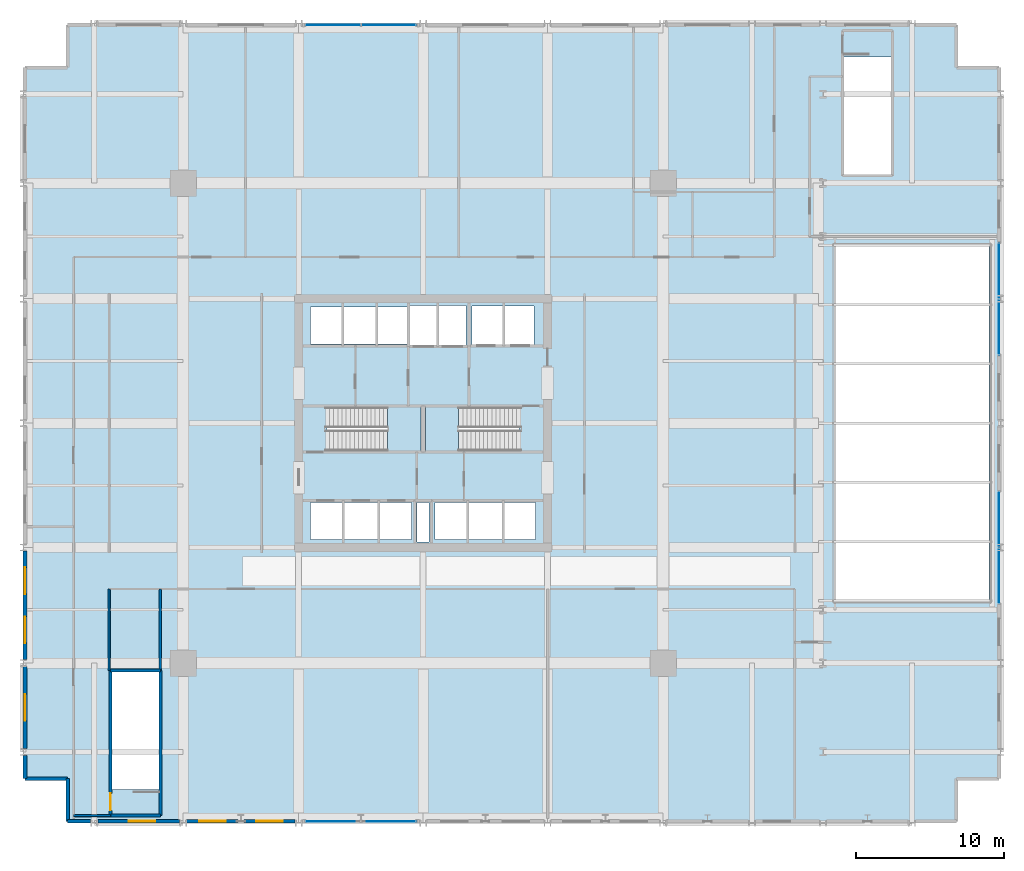
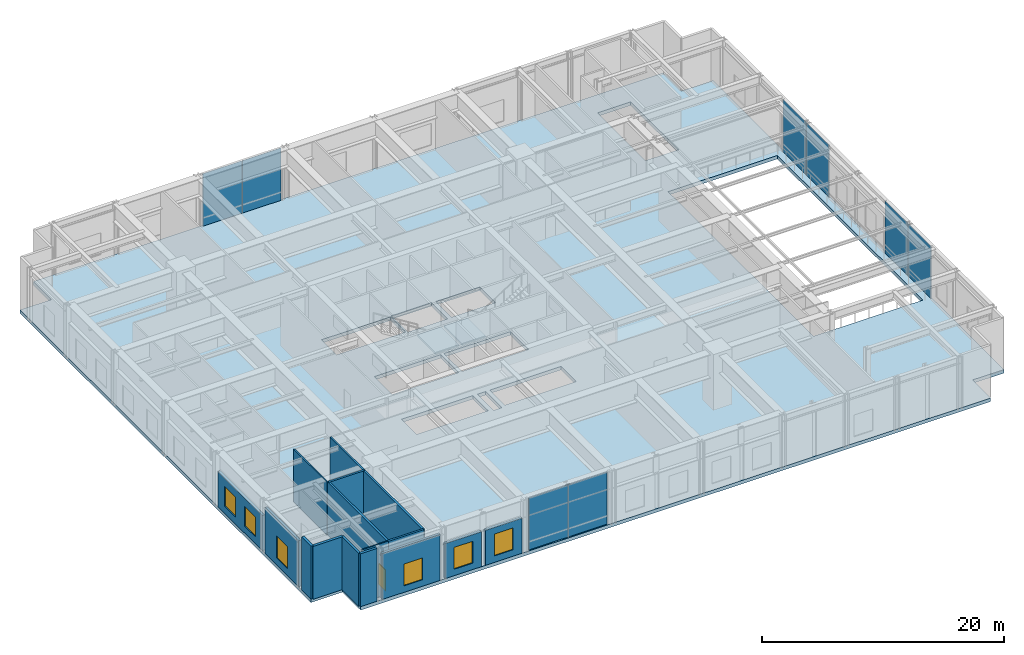
# One storey, part 10 of 19: 16 walls, 8 plates, 6 windows, 3 slabs, 1 door, 7 openings, 6 elements without a shape of their own.
"""IFC4 building model written with IfcOpenShell, lengths in metres."""

from ifc_helpers import new_model, si_unit, direction, frame, frame_2d, origin, origin_2d, place, context, subcontext, project, spatial, polyline, rectangle, outline, extrude, material, layer, layer_set, type_object, element, fill, aggregate, save


model = new_model("IFC4")

# Units and contexts
model_context = context("Model", 3, precision=1e-05, world=origin(), true_north=direction((0.0, 1.0)))
body_context = subcontext(model_context, "Body", "Model", "MODEL_VIEW")
ifc_project = project(units=[si_unit("LENGTHUNIT", "METRE"), si_unit("AREAUNIT", "SQUARE_METRE"), si_unit("VOLUMEUNIT", "CUBIC_METRE"), si_unit("PLANEANGLEUNIT", "RADIAN"), si_unit("MASSUNIT", "GRAM", prefix="KILO")], contexts=[model_context])

# Site, building, storey
site_placement = place(None, origin())
site = spatial("IfcSite", under=ifc_project, at=site_placement, CompositionType="ELEMENT")
building_placement = place(site_placement, origin())
building = spatial("IfcBuilding", under=site, at=building_placement, Name="Drelvath Grand Hotel", CompositionType="ELEMENT")
storey_placement = place(building_placement, frame((0.0, 0.0, 27.60009765625)))
storey = spatial("IfcBuildingStorey", under=building, at=storey_placement, Name="L05", CompositionType="ELEMENT", Elevation=27.60009765625)

# Slab
ifc_material_1 = material(Name="Concrete f'c 40 MPa", Category="concrete")
ifc_layer_1 = layer(ifc_material_1, 0.35009765625)
ifc_layer_set_1 = layer_set([ifc_layer_1], Name="Concrete f'c 40 MPa")
slab_type_1 = type_object("IfcSlabType", Name="Composite RC Floor Slab 350", PredefinedType="FLOOR", material=ifc_layer_set_1)
slab_1_placement = place(storey_placement, frame((0.0, 0.0, -0.35009765625)))
element("IfcSlab", 1, at=slab_1_placement, inside=storey, type_object=slab_type_1, Name="L05 Structural Floor Slab", PredefinedType="FLOOR", context=body_context, shape_type="SweptSolid", body=[
    extrude(outline(polyline([(-24.0, 0.0), (36.0, 0.0), (36.0, 3.0), (39.0, 3.0), (39.0, 51.0), (36.0, 51.0), (36.0, 54.0), (-24.0, 54.0), (-24.0, 51.0), (-27.0, 51.0), (-27.0, 3.0), (-24.0, 3.0), (-24.0, 0.0)]), holes=[polyline([(-6.47998046875, 25.1201171875), (-6.47998046875, 28.080078125), (-0.14990234375, 28.080078125), (-0.14990234375, 25.1201171875), (-6.47998046875, 25.1201171875)]), polyline([(0.14990234375, 25.1201171875), (0.14990234375, 28.080078125), (6.47998046875, 28.080078125), (6.47998046875, 25.1201171875), (0.14990234375, 25.1201171875)]), polyline([(-21.0, 2.27001953125), (-21.0, 10.199951171875), (-17.840087890625, 10.199951171875), (-17.840087890625, 2.27001953125), (-21.0, 2.27001953125)]), polyline([(28.419921875, 43.800048828125), (28.419921875, 51.72998046875), (31.580078125, 51.72998046875), (31.580078125, 43.800048828125), (28.419921875, 43.800048828125)]), polyline([(-7.60009765625, 19.14990234375), (-7.60009765625, 21.64990234375), (-0.800048828125, 21.64990234375), (-0.800048828125, 19.14990234375), (-7.60009765625, 19.14990234375)]), polyline([(-0.39990234375, 18.9599609375), (-0.39990234375, 21.639892578125), (0.39990234375, 21.639892578125), (0.39990234375, 18.9599609375), (-0.39990234375, 18.9599609375)]), polyline([(0.800048828125, 19.14990234375), (0.800048828125, 21.64990234375), (7.60009765625, 21.64990234375), (7.60009765625, 19.14990234375), (0.800048828125, 19.14990234375)]), polyline([(-7.60009765625, 32.35009765625), (-7.60009765625, 34.85009765625), (-1.02001953125, 34.85009765625), (-1.02001953125, 32.35009765625), (-7.60009765625, 32.35009765625)]), polyline([(-0.89990234375, 32.25), (-0.89990234375, 34.949951171875), (2.89990234375, 34.949951171875), (2.89990234375, 32.25), (-0.89990234375, 32.25)]), polyline([(3.300048828125, 32.300048828125), (3.300048828125, 34.89990234375), (7.5, 34.89990234375), (7.5, 32.300048828125), (3.300048828125, 32.300048828125)]), polyline([(27.800048828125, 15.0), (27.800048828125, 39.0), (38.199951171875, 39.0), (38.199951171875, 15.0), (27.800048828125, 15.0)])]), origin(), (0.0, 0.0, 1.0), 0.35009765625),
])

# Stair, slab
ifc_material_2 = material(Name="Concrete C40/50", Category="concrete")
stair_type = type_object("IfcStairType", Name="Dogleg Exit Stair W1400-R175.0", PredefinedType="HALF_TURN_STAIR", material=ifc_material_2)
stair_1_placement = place(storey_placement, origin())
stair_1 = element("IfcStair", 2, at=stair_1_placement, inside=storey, type_object=stair_type, Name="L05 Core Exit Stair ST-1", PredefinedType="HALF_TURN_STAIR")
ifc_layer_2 = layer(ifc_material_2, 0.199951171875)
ifc_layer_set_2 = layer_set([ifc_layer_2], Name="Concrete C40/50")
slab_type_2 = type_object("IfcSlabType", Name="Concrete Stair Landing Slab 200", PredefinedType="LANDING", material=ifc_layer_set_2)
slab_2_placement = place(storey_placement, frame((0.0, 0.0, 2.599853515625)))
slab_2 = element("IfcSlab", 3, at=slab_2_placement, type_object=slab_type_2, Name="ST-1 landing 1", PredefinedType="LANDING", context=body_context, shape_type="SweptSolid", body=[
    extrude(outline(polyline([(-2.39990234375, 25.1201171875), (-0.14990234375, 25.1201171875), (-0.14990234375, 28.080078125), (-2.39990234375, 28.080078125), (-2.39990234375, 25.1201171875)])), origin(), (0.0, 0.0, 1.0), 0.199951171875),
])
aggregate(stair_1, [slab_2])

stair_2_placement = place(storey_placement, origin())
stair_2 = element("IfcStair", 4, at=stair_2_placement, inside=storey, type_object=stair_type, Name="L05 Core Exit Stair ST-2", PredefinedType="HALF_TURN_STAIR")
slab_3_placement = place(storey_placement, frame((0.0, 0.0, 2.599853515625)))
slab_3 = element("IfcSlab", 5, at=slab_3_placement, type_object=slab_type_2, Name="ST-2 landing 1", PredefinedType="LANDING", context=body_context, shape_type="SweptSolid", body=[
    extrude(outline(polyline([(2.39990234375, 28.080078125), (0.14990234375, 28.080078125), (0.14990234375, 25.1201171875), (2.39990234375, 25.1201171875), (2.39990234375, 28.080078125)])), origin(), (0.0, 0.0, 1.0), 0.199951171875),
])
aggregate(stair_2, [slab_3])

# Curtain wall, plates
ifc_material_3 = material(Name="Dark Bronze Anodised Aluminium Frame", Category="aluminium")
ifc_layer_3 = layer(ifc_material_3, 0.199951171875)
ifc_layer_set_3 = layer_set([ifc_layer_3], Name="Dark Bronze Anodised Aluminium Frame")
curtain_wall_type = type_object("IfcCurtainWallType", Name="Stick Curtain Wall CW-01 Dark Bronze Podium", PredefinedType="NOTDEFINED", material=ifc_layer_set_3)
curtain_wall_1_placement = place(storey_placement, origin())
curtain_wall_1 = element("IfcCurtainWall", 6, at=curtain_wall_1_placement, inside=storey, type_object=curtain_wall_type, Name="L05 CW-01 Curtain Wall CW01-L05-EA1", PredefinedType="NOTDEFINED")
ifc_material_4 = material(Name="Low-E Double Silver Vision Glass Clear", Category="glass")
ifc_layer_4 = layer(ifc_material_4, 0.035888671875)
ifc_layer_set_4 = layer_set([ifc_layer_4], Name="Low-E Double Silver Vision Glass Clear")
plate_type = type_object("IfcPlateType", Name="Curtain Wall Vision Panel CW-01 36mm", PredefinedType="CURTAIN_PANEL", material=ifc_layer_set_4)
plate_1_placement = place(storey_placement, frame((38.8798828125, 20.5, 0.02001953125), z_axis=(0.0, 0.0, 1.0), x_axis=(0.0, -1.0, 0.0)))
plate_1 = element("IfcPlate", 7, at=plate_1_placement, type_object=plate_type, Name="CW01-L05-EA1 Glazed Panel 1", PredefinedType="CURTAIN_PANEL", context=body_context, shape_type="SweptSolid", body=[
    extrude(rectangle(XDim=3.760009765625, YDim=0.035888671875, at=origin_2d()), origin(), (0.0, 0.0, 1.0), 5.280029296875),
])
plate_2_placement = place(storey_placement, frame((38.8798828125, 16.699951171875, 0.02001953125), z_axis=(0.0, 0.0, 1.0), x_axis=(0.0, -1.0, 0.0)))
plate_2 = element("IfcPlate", 8, at=plate_2_placement, type_object=plate_type, Name="CW01-L05-EA1 Glazed Panel 2", PredefinedType="CURTAIN_PANEL", context=body_context, shape_type="SweptSolid", body=[
    extrude(rectangle(XDim=3.760009765625, YDim=0.035888671875, at=origin_2d()), origin(), (0.0, 0.0, 1.0), 5.280029296875),
])
aggregate(curtain_wall_1, [plate_1, plate_2])

curtain_wall_2_placement = place(storey_placement, origin())
curtain_wall_2 = element("IfcCurtainWall", 9, at=curtain_wall_2_placement, inside=storey, type_object=curtain_wall_type, Name="L05 CW-01 Curtain Wall CW01-L05-EA2", PredefinedType="NOTDEFINED")
plate_3_placement = place(storey_placement, frame((38.8798828125, 37.300048828125, 0.02001953125), z_axis=(0.0, 0.0, 1.0), x_axis=(0.0, -1.0, 0.0)))
plate_3 = element("IfcPlate", 10, at=plate_3_placement, type_object=plate_type, Name="CW01-L05-EA2 Glazed Panel 1", PredefinedType="CURTAIN_PANEL", context=body_context, shape_type="SweptSolid", body=[
    extrude(rectangle(XDim=3.760009765625, YDim=0.035888671875, at=origin_2d()), origin(), (0.0, 0.0, 1.0), 5.280029296875),
])
plate_4_placement = place(storey_placement, frame((38.8798828125, 33.5, 0.02001953125), z_axis=(0.0, 0.0, 1.0), x_axis=(0.0, -1.0, 0.0)))
plate_4 = element("IfcPlate", 11, at=plate_4_placement, type_object=plate_type, Name="CW01-L05-EA2 Glazed Panel 2", PredefinedType="CURTAIN_PANEL", context=body_context, shape_type="SweptSolid", body=[
    extrude(rectangle(XDim=3.760009765625, YDim=0.035888671875, at=origin_2d()), origin(), (0.0, 0.0, 1.0), 5.280029296875),
])
aggregate(curtain_wall_2, [plate_3, plate_4])

curtain_wall_3_placement = place(storey_placement, origin())
curtain_wall_3 = element("IfcCurtainWall", 12, at=curtain_wall_3_placement, inside=storey, type_object=curtain_wall_type, Name="L05 CW-01 Curtain Wall CW01-L05-SC1", PredefinedType="NOTDEFINED")
plate_5_placement = place(storey_placement, frame((-2.324951171875, 0.1201171875, 0.02001953125), z_axis=(0.0, 0.0, 1.0), x_axis=(-1.0, 0.0, 0.0)))
plate_5 = element("IfcPlate", 13, at=plate_5_placement, type_object=plate_type, Name="CW01-L05-SC1 Glazed Panel 1", PredefinedType="CURTAIN_PANEL", context=body_context, shape_type="SweptSolid", body=[
    extrude(rectangle(XDim=3.7099609375, YDim=0.035888671875, at=origin_2d()), origin(), (0.0, 0.0, 1.0), 5.280029296875),
])
plate_6_placement = place(storey_placement, frame((-6.074951171875, 0.1201171875, 0.02001953125), z_axis=(0.0, 0.0, 1.0), x_axis=(-1.0, 0.0, 0.0)))
plate_6 = element("IfcPlate", 14, at=plate_6_placement, type_object=plate_type, Name="CW01-L05-SC1 Glazed Panel 2", PredefinedType="CURTAIN_PANEL", context=body_context, shape_type="SweptSolid", body=[
    extrude(rectangle(XDim=3.7099609375, YDim=0.035888671875, at=origin_2d()), origin(), (0.0, 0.0, 1.0), 5.280029296875),
])
aggregate(curtain_wall_3, [plate_5, plate_6])

curtain_wall_4_placement = place(storey_placement, origin())
curtain_wall_4 = element("IfcCurtainWall", 15, at=curtain_wall_4_placement, inside=storey, type_object=curtain_wall_type, Name="L05 CW-01 Curtain Wall CW01-L05-NC1", PredefinedType="NOTDEFINED")
plate_7_placement = place(storey_placement, frame((-6.074951171875, 53.8798828125, 0.02001953125), z_axis=(0.0, 0.0, 1.0), x_axis=(1.0, 0.0, 0.0)))
plate_7 = element("IfcPlate", 16, at=plate_7_placement, type_object=plate_type, Name="CW01-L05-NC1 Glazed Panel 1", PredefinedType="CURTAIN_PANEL", context=body_context, shape_type="SweptSolid", body=[
    extrude(rectangle(XDim=3.7099609375, YDim=0.035888671875, at=origin_2d()), origin(), (0.0, 0.0, 1.0), 5.280029296875),
])
plate_8_placement = place(storey_placement, frame((-2.324951171875, 53.8798828125, 0.02001953125), z_axis=(0.0, 0.0, 1.0), x_axis=(1.0, 0.0, 0.0)))
plate_8 = element("IfcPlate", 17, at=plate_8_placement, type_object=plate_type, Name="CW01-L05-NC1 Glazed Panel 2", PredefinedType="CURTAIN_PANEL", context=body_context, shape_type="SweptSolid", body=[
    extrude(rectangle(XDim=3.7099609375, YDim=0.035888671875, at=origin_2d()), origin(), (0.0, 0.0, 1.0), 5.280029296875),
])
aggregate(curtain_wall_4, [plate_7, plate_8])

# Wall, opening, door
ifc_layer_5 = layer(ifc_material_2, 0.199951171875)
ifc_layer_set_5 = layer_set([ifc_layer_5], Name="Concrete C40/50")
wall_type_1 = type_object("IfcWallType", Name="Core Shaft Fire Wall 200", PredefinedType="SOLIDWALL", material=ifc_layer_set_5)
wall_1_placement = place(storey_placement, frame((-21.10009765625, 0.5, 0.0), z_axis=(0.0, 0.0, 1.0), x_axis=(0.0, 1.0, 0.0)))
wall_1 = element("IfcWall", 18, at=wall_1_placement, inside=storey, type_object=wall_type_1, Name="L05 Stair ST-3 West Wall", PredefinedType="SOLIDWALL", context=body_context, shape_type="SweptSolid", body=[
    extrude(rectangle(XDim=9.800048828125, YDim=0.199951171875, at=frame_2d((4.89990234375, 0.0))), origin(), (0.0, 0.0, 1.0), 5.31982421875),
])
opening_1_placement = place(wall_1_placement, frame((0.35009765625, 0.0, 0.0)))
opening_1 = element("IfcOpeningElement", 19, at=opening_1_placement, cuts=wall_1, Name="Opening D-L05-017", PredefinedType="OPENING", context=body_context, shape_type="SweptSolid", body=[
    extrude(rectangle(XDim=1.14990234375, YDim=2.14990234375, at=frame_2d((0.574951171875, 1.074951171875))), frame((0.0, 0.10986328125, 0.0), z_axis=(0.0, -1.0, 0.0), x_axis=(1.0, 0.0, 0.0)), (0.0, 0.0, 1.0), 0.219970703125),
])
ifc_material_5 = material(Name="Painted Steel S275", Category="steel")
door_type = type_object("IfcDoorType", Name="Podium Stairwell Fire Door 1150x2150", OperationType="NOTDEFINED", PredefinedType="DOOR", material=ifc_material_5)
door_placement = place(opening_1_placement, origin())
door = element("IfcDoor", 20, at=door_placement, inside=storey, type_object=door_type, Name="L05 Exit Stair ST-3 Entry Door", OperationType="SINGLE_SWING_LEFT", OverallHeight=2.14990234375, OverallWidth=1.14990234375, PredefinedType="DOOR", context=body_context, shape_type="SweptSolid", body=[
    extrude(rectangle(XDim=1.14990234375, YDim=2.14990234375, at=frame_2d((0.574951171875, 1.074951171875))), frame((0.0, 0.02490234375, 0.0), z_axis=(0.0, -1.0, 0.0), x_axis=(1.0, 0.0, 0.0)), (0.0, 0.0, 1.0), 0.050048828125),
])
fill(opening_1, door)

# Walls
wall_2_placement = place(storey_placement, frame((-17.739990234375, 10.300048828125, 0.0), z_axis=(0.0, 0.0, 1.0), x_axis=(0.0, -1.0, 0.0)))
element("IfcWall", 21, at=wall_2_placement, inside=storey, type_object=wall_type_1, Name="L05 Stair ST-3 East Wall", PredefinedType="SOLIDWALL", context=body_context, shape_type="SweptSolid", body=[
    extrude(rectangle(XDim=9.800048828125, YDim=0.199951171875, at=frame_2d((4.89990234375, 0.0))), origin(), (0.0, 0.0, 1.0), 5.31982421875),
])
for number, where, z_axis, x_axis, name in (
    (22, (-21.10009765625, 0.5, 0.0), (0.0, 0.0, 1.0), (1.0, 0.0, 0.0), "L05 Stair ST-3 South Wall"),
    (23, (-17.739990234375, 10.300048828125, 0.0), (0.0, 0.0, 1.0), (-1.0, 0.0, 0.0), "L05 Stair ST-3 North Wall"),
):
    element("IfcWall", number, at=place(storey_placement, frame(where, z_axis=z_axis, x_axis=x_axis)), inside=storey, type_object=wall_type_1, Name=name, PredefinedType="SOLIDWALL", context=body_context, shape_type="SweptSolid", body=[
        extrude(rectangle(XDim=3.360107421875, YDim=0.199951171875, at=frame_2d((1.68017578125, 0.0))), origin(), (0.0, 0.0, 1.0), 5.31982421875),
    ])
ifc_material_6 = material(Name="Gypsum Fireboard Partition")
ifc_layer_6 = layer(ifc_material_6, 0.135009765625)
ifc_layer_set_6 = layer_set([ifc_layer_6], Name="Gypsum Fireboard Partition")
wall_type_2 = type_object("IfcWallType", Name="Corridor Fire Barrier Wall 135", PredefinedType="PARTITIONING", material=ifc_layer_set_6)
wall_3_placement = place(storey_placement, frame((-21.199951171875, 10.300048828125, 0.0), z_axis=(0.0, 0.0, 1.0), x_axis=(0.0, 1.0, 0.0)))
element("IfcWall", 24, at=wall_3_placement, inside=storey, type_object=wall_type_2, Name="L05 ST-3 Spur South-East Wall", PredefinedType="PARTITIONING", context=body_context, shape_type="SweptSolid", body=[
    extrude(rectangle(XDim=5.5, YDim=0.135009765625, at=frame_2d((2.75, 0.0))), origin(), (0.0, 0.0, 1.0), 5.31982421875),
])
wall_4_placement = place(storey_placement, frame((-23.60009765625, 0.5, 0.0), z_axis=(0.0, 0.0, 1.0), x_axis=(1.0, 0.0, 0.0)))
element("IfcWall", 25, at=wall_4_placement, inside=storey, type_object=wall_type_2, Name="L05 ST-3 Spur South End", PredefinedType="PARTITIONING", context=body_context, shape_type="SweptSolid", body=[
    extrude(rectangle(XDim=2.5, YDim=0.135009765625, at=frame_2d((1.25, 0.0))), origin(), (0.0, 0.0, 1.0), 5.31982421875),
])
ifc_material_7 = material(Name="Insulated Granite Rainscreen Assembly", Category="masonry")
ifc_layer_7 = layer(ifc_material_7, 0.239990234375)
ifc_layer_set_7 = layer_set([ifc_layer_7], Name="Insulated Granite Rainscreen Assembly")
wall_type_3 = type_object("IfcWallType", Name="Podium Granite Rainscreen Exterior Wall 240", PredefinedType="STANDARD", material=ifc_layer_set_7)
wall_5_placement = place(storey_placement, frame((-26.8798828125, 3.0, 0.0), z_axis=(0.0, 0.0, 1.0), x_axis=(0.0, 1.0, 0.0)))
element("IfcWall", 26, at=wall_5_placement, inside=storey, type_object=wall_type_3, Name="L05 West Podium Granite Wall 1", PredefinedType="STANDARD", context=body_context, shape_type="SweptSolid", body=[
    extrude(rectangle(XDim=1.55908203125, YDim=0.239990234375, at=frame_2d((0.779541015625, 0.0))), origin(), (0.0, 0.0, 1.0), 5.31982421875),
])

# Wall, opening, window
wall_6_placement = place(storey_placement, frame((-26.8798828125, 5.041015625, 0.0), z_axis=(0.0, 0.0, 1.0), x_axis=(0.0, 1.0, 0.0)))
wall_6 = element("IfcWall", 27, at=wall_6_placement, inside=storey, type_object=wall_type_3, Name="L05 West Podium Granite Wall 2", PredefinedType="STANDARD", context=body_context, shape_type="SweptSolid", body=[
    extrude(rectangle(XDim=5.51806640625, YDim=0.239990234375, at=frame_2d((2.759033203125, 0.0))), origin(), (0.0, 0.0, 1.0), 4.62451171875),
])
opening_2_placement = place(wall_6_placement, frame((1.859130859375, 0.0, 0.699951171875)))
opening_2 = element("IfcOpeningElement", 28, at=opening_2_placement, cuts=wall_6, Name="Opening W-02", PredefinedType="OPENING", context=body_context, shape_type="SweptSolid", body=[
    extrude(rectangle(XDim=1.800048828125, YDim=2.199951171875, at=frame_2d((0.89990234375, 1.10009765625))), frame((0.0, 0.1298828125, 0.0), z_axis=(0.0, -1.0, 0.0), x_axis=(1.0, 0.0, 0.0)), (0.0, 0.0, 1.0), 0.260009765625),
])
ifc_material_8 = material(Name="Bronze Anodised Low-E Triple Glazing", Category="glass")
window_type = type_object("IfcWindowType", Name="Chicago Double-Pane Podium Window 1800x2400", PartitioningType="DOUBLE_PANEL_VERTICAL", PredefinedType="WINDOW", material=ifc_material_8)
window_1_placement = place(opening_2_placement, origin())
window_1 = element("IfcWindow", 29, at=window_1_placement, inside=storey, type_object=window_type, Name="L05 West Podium Window 2", OverallHeight=2.199951171875, OverallWidth=1.800048828125, PartitioningType="SINGLE_PANEL", PredefinedType="WINDOW", context=body_context, shape_type="SweptSolid", body=[
    extrude(rectangle(XDim=1.800048828125, YDim=2.199951171875, at=frame_2d((0.89990234375, 1.10009765625))), frame((0.0, 0.030029296875, 0.0), z_axis=(0.0, -1.0, 0.0), x_axis=(1.0, 0.0, 0.0)), (0.0, 0.0, 1.0), 0.06005859375),
])
fill(opening_2, window_1)

# Wall, openings, windows
wall_7_placement = place(storey_placement, frame((-26.8798828125, 11.041015625, 0.0), z_axis=(0.0, 0.0, 1.0), x_axis=(0.0, 1.0, 0.0)))
wall_7 = element("IfcWall", 30, at=wall_7_placement, inside=storey, type_object=wall_type_3, Name="L05 West Podium Granite Wall 3", PredefinedType="STANDARD", context=body_context, shape_type="SweptSolid", body=[
    extrude(rectangle(XDim=7.318115234375, YDim=0.239990234375, at=frame_2d((3.6591796875, 0.0))), origin(), (0.0, 0.0, 1.0), 3.52001953125),
])
opening_3_placement = place(wall_7_placement, frame((1.10009765625, 0.0, 0.699951171875)))
opening_3 = element("IfcOpeningElement", 31, at=opening_3_placement, cuts=wall_7, Name="Opening W-02", PredefinedType="OPENING", context=body_context, shape_type="SweptSolid", body=[
    extrude(rectangle(XDim=1.800048828125, YDim=2.0, at=frame_2d((0.89990234375, 1.0))), frame((0.0, 0.1298828125, 0.0), z_axis=(0.0, -1.0, 0.0), x_axis=(1.0, 0.0, 0.0)), (0.0, 0.0, 1.0), 0.260009765625),
])
opening_4_placement = place(wall_7_placement, frame((4.418212890625, 0.0, 0.699951171875)))
opening_4 = element("IfcOpeningElement", 32, at=opening_4_placement, cuts=wall_7, Name="Opening W-02", PredefinedType="OPENING", context=body_context, shape_type="SweptSolid", body=[
    extrude(rectangle(XDim=1.800048828125, YDim=2.0, at=frame_2d((0.89990234375, 1.0))), frame((0.0, 0.1298828125, 0.0), z_axis=(0.0, -1.0, 0.0), x_axis=(1.0, 0.0, 0.0)), (0.0, 0.0, 1.0), 0.260009765625),
])
window_2_placement = place(opening_3_placement, origin())
window_2 = element("IfcWindow", 33, at=window_2_placement, inside=storey, type_object=window_type, Name="L05 West Podium Window 3-1", OverallHeight=2.0, OverallWidth=1.800048828125, PartitioningType="SINGLE_PANEL", PredefinedType="WINDOW", context=body_context, shape_type="SweptSolid", body=[
    extrude(rectangle(XDim=1.800048828125, YDim=2.0, at=frame_2d((0.89990234375, 1.0))), frame((0.0, 0.030029296875, 0.0), z_axis=(0.0, -1.0, 0.0), x_axis=(1.0, 0.0, 0.0)), (0.0, 0.0, 1.0), 0.06005859375),
])
fill(opening_3, window_2)
window_3_placement = place(opening_4_placement, origin())
window_3 = element("IfcWindow", 34, at=window_3_placement, inside=storey, type_object=window_type, Name="L05 West Podium Window 3-2", OverallHeight=2.0, OverallWidth=1.800048828125, PartitioningType="SINGLE_PANEL", PredefinedType="WINDOW", context=body_context, shape_type="SweptSolid", body=[
    extrude(rectangle(XDim=1.800048828125, YDim=2.0, at=frame_2d((0.89990234375, 1.0))), frame((0.0, 0.030029296875, 0.0), z_axis=(0.0, -1.0, 0.0), x_axis=(1.0, 0.0, 0.0)), (0.0, 0.0, 1.0), 0.06005859375),
])
fill(opening_4, window_3)

# Wall
wall_8_placement = place(storey_placement, frame((-22.44091796875, 0.1201171875, 0.0), z_axis=(0.0, 0.0, 1.0), x_axis=(-1.0, 0.0, 0.0)))
element("IfcWall", 35, at=wall_8_placement, inside=storey, type_object=wall_type_3, Name="L05 South Podium Granite Wall 1", PredefinedType="STANDARD", context=body_context, shape_type="SweptSolid", body=[
    extrude(rectangle(XDim=1.55908203125, YDim=0.239990234375, at=frame_2d((0.779541015625, 0.0))), origin(), (0.0, 0.0, 1.0), 5.31982421875),
])

# Wall, opening, window
wall_9_placement = place(storey_placement, frame((-16.44091796875, 0.1201171875, 0.0), z_axis=(0.0, 0.0, 1.0), x_axis=(-1.0, 0.0, 0.0)))
wall_9 = element("IfcWall", 36, at=wall_9_placement, inside=storey, type_object=wall_type_3, Name="L05 South Podium Granite Wall 2", PredefinedType="STANDARD", context=body_context, shape_type="SweptSolid", body=[
    extrude(rectangle(XDim=5.51806640625, YDim=0.239990234375, at=frame_2d((2.759033203125, 0.0))), origin(), (0.0, 0.0, 1.0), 4.62451171875),
])
opening_5_placement = place(wall_9_placement, frame((1.64990234375, 0.0, 0.64990234375)))
opening_5 = element("IfcOpeningElement", 37, at=opening_5_placement, cuts=wall_9, Name="Opening W-02", PredefinedType="OPENING", context=body_context, shape_type="SweptSolid", body=[
    extrude(rectangle(XDim=1.800048828125, YDim=2.199951171875, at=frame_2d((0.89990234375, 1.10009765625))), frame((0.0, 0.1298828125, 0.0), z_axis=(0.0, -1.0, 0.0), x_axis=(1.0, 0.0, 0.0)), (0.0, 0.0, 1.0), 0.260009765625),
])
window_4_placement = place(opening_5_placement, origin())
window_4 = element("IfcWindow", 38, at=window_4_placement, inside=storey, type_object=window_type, Name="L05 South Chicago Window 2-1", OverallHeight=2.199951171875, OverallWidth=1.800048828125, PartitioningType="SINGLE_PANEL", PredefinedType="WINDOW", context=body_context, shape_type="SweptSolid", body=[
    extrude(rectangle(XDim=1.800048828125, YDim=2.199951171875, at=frame_2d((0.89990234375, 1.10009765625))), frame((0.0, 0.030029296875, 0.0), z_axis=(0.0, -1.0, 0.0), x_axis=(1.0, 0.0, 0.0)), (0.0, 0.0, 1.0), 0.06005859375),
])
fill(opening_5, window_4)

wall_10_placement = place(storey_placement, frame((-12.49267578125, 0.1201171875, 0.0), z_axis=(0.0, 0.0, 1.0), x_axis=(-1.0, 0.0, 0.0)))
wall_10 = element("IfcWall", 39, at=wall_10_placement, inside=storey, type_object=wall_type_3, Name="L05 South Podium Granite Wall 3", PredefinedType="STANDARD", context=body_context, shape_type="SweptSolid", body=[
    extrude(rectangle(XDim=3.46630859375, YDim=0.239990234375, at=frame_2d((1.733154296875, 0.0))), origin(), (0.0, 0.0, 1.0), 3.52001953125),
])
opening_6_placement = place(wall_10_placement, frame((0.833251953125, 0.0, 0.64990234375)))
opening_6 = element("IfcOpeningElement", 40, at=opening_6_placement, cuts=wall_10, Name="Opening W-02", PredefinedType="OPENING", context=body_context, shape_type="SweptSolid", body=[
    extrude(rectangle(XDim=1.800048828125, YDim=2.199951171875, at=frame_2d((0.89990234375, 1.10009765625))), frame((0.0, 0.1298828125, 0.0), z_axis=(0.0, -1.0, 0.0), x_axis=(1.0, 0.0, 0.0)), (0.0, 0.0, 1.0), 0.260009765625),
])
window_5_placement = place(opening_6_placement, origin())
window_5 = element("IfcWindow", 41, at=window_5_placement, inside=storey, type_object=window_type, Name="L05 South Chicago Window 3", OverallHeight=2.199951171875, OverallWidth=1.800048828125, PartitioningType="SINGLE_PANEL", PredefinedType="WINDOW", context=body_context, shape_type="SweptSolid", body=[
    extrude(rectangle(XDim=1.800048828125, YDim=2.199951171875, at=frame_2d((0.89990234375, 1.10009765625))), frame((0.0, 0.030029296875, 0.0), z_axis=(0.0, -1.0, 0.0), x_axis=(1.0, 0.0, 0.0)), (0.0, 0.0, 1.0), 0.06005859375),
])
fill(opening_6, window_5)

wall_11_placement = place(storey_placement, frame((-8.640869140625, 0.1201171875, 0.0), z_axis=(0.0, 0.0, 1.0), x_axis=(-1.0, 0.0, 0.0)))
wall_11 = element("IfcWall", 42, at=wall_11_placement, inside=storey, type_object=wall_type_3, Name="L05 South Podium Granite Wall 4", PredefinedType="STANDARD", context=body_context, shape_type="SweptSolid", body=[
    extrude(rectangle(XDim=3.466552734375, YDim=0.239990234375, at=frame_2d((1.7333984375, 0.0))), origin(), (0.0, 0.0, 1.0), 3.52001953125),
])
opening_7_placement = place(wall_11_placement, frame((0.833251953125, 0.0, 0.64990234375)))
opening_7 = element("IfcOpeningElement", 43, at=opening_7_placement, cuts=wall_11, Name="Opening W-02", PredefinedType="OPENING", context=body_context, shape_type="SweptSolid", body=[
    extrude(rectangle(XDim=1.800048828125, YDim=2.199951171875, at=frame_2d((0.89990234375, 1.10009765625))), frame((0.0, 0.1298828125, 0.0), z_axis=(0.0, -1.0, 0.0), x_axis=(1.0, 0.0, 0.0)), (0.0, 0.0, 1.0), 0.260009765625),
])
window_6_placement = place(opening_7_placement, origin())
window_6 = element("IfcWindow", 44, at=window_6_placement, inside=storey, type_object=window_type, Name="L05 South Chicago Window 4", OverallHeight=2.199951171875, OverallWidth=1.800048828125, PartitioningType="SINGLE_PANEL", PredefinedType="WINDOW", context=body_context, shape_type="SweptSolid", body=[
    extrude(rectangle(XDim=1.800048828125, YDim=2.199951171875, at=frame_2d((0.89990234375, 1.10009765625))), frame((0.0, 0.030029296875, 0.0), z_axis=(0.0, -1.0, 0.0), x_axis=(1.0, 0.0, 0.0)), (0.0, 0.0, 1.0), 0.06005859375),
])
fill(opening_7, window_6)

# Walls
for number, where, z_axis, x_axis, name in (
    (45, (-24.0, 0.1201171875, 0.0), (0.0, 0.0, 1.0), (0.0, 1.0, 0.0), "L05 Podium Corner Return Wall CSW1"),
    (46, (-24.0, 3.0, 0.0), (0.0, 0.0, 1.0), (-1.0, 0.0, 0.0), "L05 Podium Corner Return Wall CSW2"),
):
    element("IfcWall", number, at=place(storey_placement, frame(where, z_axis=z_axis, x_axis=x_axis)), inside=storey, type_object=wall_type_3, Name=name, PredefinedType="STANDARD", context=body_context, shape_type="SweptSolid", body=[
        extrude(rectangle(XDim=2.8798828125, YDim=0.239990234375, at=frame_2d((1.43994140625, 0.0))), origin(), (0.0, 0.0, 1.0), 5.31982421875),
    ])
ifc_material_9 = material(Name="Gypsum Acoustic Partition")
ifc_layer_8 = layer(ifc_material_9, 0.1650390625)
ifc_layer_set_8 = layer_set([ifc_layer_8], Name="Gypsum Acoustic Partition")
wall_type_4 = type_object("IfcWallType", Name="Suite Demising Wall 165", PredefinedType="PARTITIONING", material=ifc_layer_set_8)
wall_12_placement = place(storey_placement, frame((-17.739990234375, 10.300048828125, 0.0), z_axis=(0.0, 0.0, 1.0), x_axis=(0.0, 1.0, 0.0)))
element("IfcWall", 47, at=wall_12_placement, inside=storey, type_object=wall_type_4, Name="L05 ST-3 East Demising Wall", PredefinedType="PARTITIONING", context=body_context, shape_type="SweptSolid", body=[
    extrude(rectangle(XDim=5.5, YDim=0.1650390625, at=frame_2d((2.75, 0.0))), origin(), (0.0, 0.0, 1.0), 5.31982421875),
])

save(model, "model.ifc")
